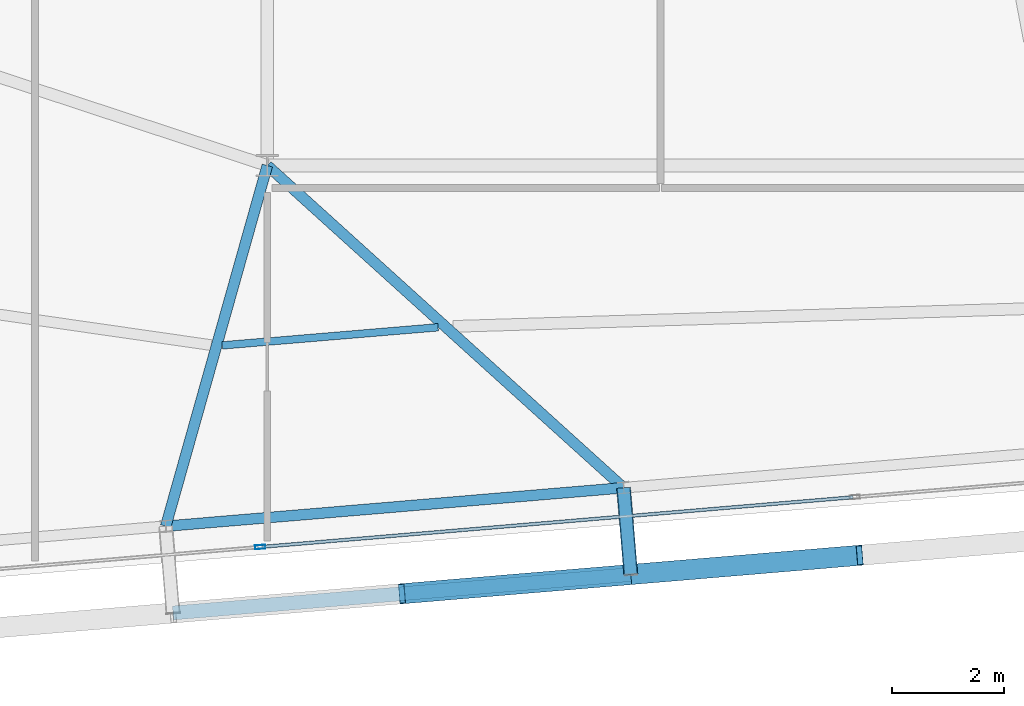
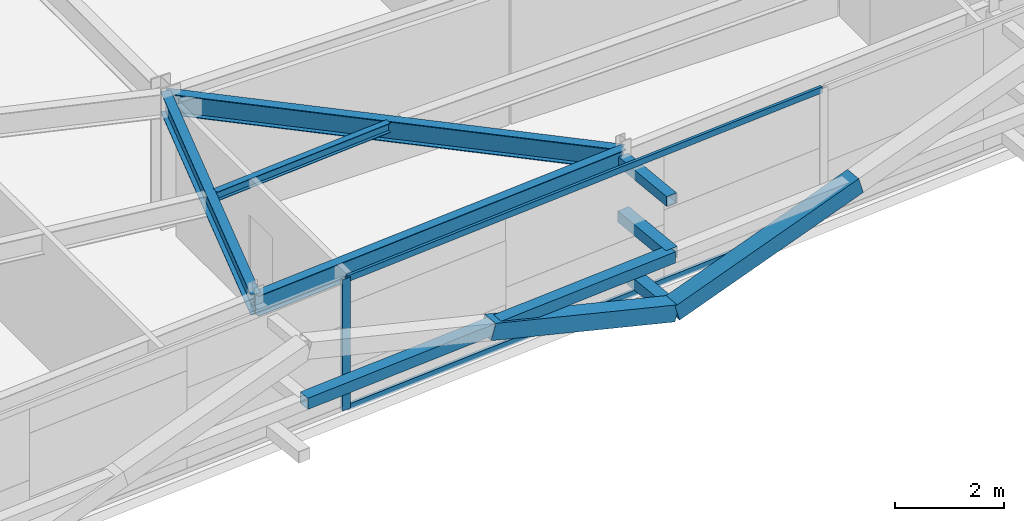
# One storey, part 9 of 39: 9 members, 4 beams, 1 element without a shape of its own.
"""IFC4 building model written with IfcOpenShell, lengths in metres."""

import ifcopenshell
import ifcopenshell.guid

model = None  # the IFC model being written
_history = None  # IfcOwnerHistory: only IFC2X3 demands one
_inside = {}  # id of a spatial element -> (the spatial element, [elements in it])
_under = {}  # id of a project, library or spatial element -> (it, [spatial elements below it])
_declared = {}  # id of a project -> (the project, [libraries it declares])
_typed = {}  # id of a type object -> (the type object, [elements of that type])
_made_of = {}  # id of a material, layer set ... -> (it, [elements and type objects made of it])


def new_model(schema):
    """Start an empty IFC model of exactly this schema.

    Asked for "IFC4X3", IfcOpenShell would pick the latest addendum, in which some entities
    have other attributes; the version numbers below select the first issue.
    IFC2X3 requires an IfcOwnerHistory on every rooted entity: one is made here for all.
    """
    global model, _history
    if schema == "IFC4X3":
        model = ifcopenshell.file(schema_version=(4, 3, 0, 0))
    else:
        model = ifcopenshell.file(schema=schema)
    _inside.clear()
    _under.clear()
    _declared.clear()
    _typed.clear()
    _made_of.clear()
    _history = None
    if model.schema == "IFC2X3":
        org = make("IfcOrganization", Name="unknown")
        user = make(
            "IfcPersonAndOrganization",
            ThePerson=make("IfcPerson", FamilyName="unknown"),
            TheOrganization=org,
        )
        app = make(
            "IfcApplication",
            ApplicationDeveloper=org,
            Version="unknown",
            ApplicationFullName="unknown",
            ApplicationIdentifier="unknown",
        )
        _history = make(
            "IfcOwnerHistory",
            OwningUser=user,
            OwningApplication=app,
            ChangeAction="ADDED",
            CreationDate=0,
        )
    return model


def make(cls, **values):
    """One entity of the class cls with the attributes given. An attribute that is None is left unset."""
    return model.create_entity(
        cls, **{name: value for name, value in values.items() if value is not None}
    )


def rooted(cls, **values):
    """An entity with a GlobalId (a new one), such as an element, a storey or a relation."""
    return make(cls, GlobalId=ifcopenshell.guid.new(), OwnerHistory=_history, **values)


def si_unit(unit_type, name, prefix=None):
    """IfcSIUnit, for example si_unit("LENGTHUNIT", "METRE", prefix="MILLI")."""
    return make("IfcSIUnit", UnitType=unit_type, Prefix=prefix, Name=name)


def assignment(units):
    """IfcUnitAssignment: the units of a project."""
    return None if units is None else make("IfcUnitAssignment", Units=units)


def point(xyz):
    """IfcCartesianPoint."""
    return None if xyz is None else make("IfcCartesianPoint", Coordinates=xyz)


def direction(xyz):
    """IfcDirection."""
    return None if xyz is None else make("IfcDirection", DirectionRatios=xyz)


def frame(location, z_axis=None, x_axis=None):
    """IfcAxis2Placement3D, a coordinate frame: its origin and axes. An axis left out is left unset."""
    return make(
        "IfcAxis2Placement3D",
        Location=point(location),
        Axis=direction(z_axis),
        RefDirection=direction(x_axis),
    )


def frame_2d(location, x_axis=None):
    """IfcAxis2Placement2D, a coordinate frame in the plane: its origin and x axis."""
    return make(
        "IfcAxis2Placement2D", Location=point(location), RefDirection=direction(x_axis)
    )


def origin():
    """The frame at (0, 0, 0) with its axes left unset."""
    return frame((0.0, 0.0, 0.0))


def origin_2d():
    """The frame at (0, 0) in the plane with its x axis left unset."""
    return frame_2d((0.0, 0.0))


def place(relative_to, where):
    """IfcLocalPlacement: puts the frame where relative to a parent placement (None: the world)."""
    return make(
        "IfcLocalPlacement", PlacementRelTo=relative_to, RelativePlacement=where
    )


def context(
    kind, dimensions, precision=None, world=None, true_north=None, identifier=None
):
    """IfcGeometricRepresentationContext, for example the 3D "Model" context."""
    return make(
        "IfcGeometricRepresentationContext",
        ContextIdentifier=identifier,
        ContextType=kind,
        CoordinateSpaceDimension=dimensions,
        Precision=precision,
        WorldCoordinateSystem=world,
        TrueNorth=true_north,
    )


def subcontext(parent, identifier, kind, view, scale=None):
    """IfcGeometricRepresentationSubContext, for example "Body" below "Model"."""
    return make(
        "IfcGeometricRepresentationSubContext",
        ContextIdentifier=identifier,
        ContextType=kind,
        ParentContext=parent,
        TargetScale=scale,
        TargetView=view,
    )


def project(units=None, contexts=None):
    """IfcProject with its units and contexts."""
    return rooted(
        "IfcProject",
        Name="project",
        RepresentationContexts=contexts,
        UnitsInContext=assignment(units),
    )


def spatial(cls, under=None, at=None, **own):
    """A site, building, storey or space (cls), placed at a placement, below another one or the project."""
    s = rooted(cls, ObjectPlacement=at, **own)
    if under is not None:
        _under.setdefault(under.id(), (under, []))[1].append(s)
    return s


def profile(cls, at=None, kind="AREA", **sizes):
    """A parametric profile (cls). Its sizes go by their IFC names, for example OverallWidth=200.0."""
    return make(cls, ProfileType=kind, Position=at, **sizes)


def hollow_rectangle(**sizes):
    """IfcRectangleHollowProfileDef."""
    return profile("IfcRectangleHollowProfileDef", **sizes)


def i_section(**sizes):
    """IfcIShapeProfileDef."""
    return profile("IfcIShapeProfileDef", **sizes)


def extrude(swept, where, along, depth):
    """IfcExtrudedAreaSolid: the profile swept, set in the frame where, extruded along a direction by depth."""
    return make(
        "IfcExtrudedAreaSolid",
        SweptArea=swept,
        Position=where,
        ExtrudedDirection=direction(along),
        Depth=depth,
    )


def shape(context_of_items, identifier, shape_type, items):
    """IfcShapeRepresentation: the items that make up one representation, for example the "Body"."""
    return make(
        "IfcShapeRepresentation",
        ContextOfItems=context_of_items,
        RepresentationIdentifier=identifier,
        RepresentationType=shape_type,
        Items=items,
    )


def source(mapping_origin, context_of_items, identifier, shape_type, items):
    """IfcRepresentationMap: a shape defined once, which mapped items show again and again."""
    return make(
        "IfcRepresentationMap",
        MappingOrigin=mapping_origin,
        MappedRepresentation=shape(context_of_items, identifier, shape_type, items),
    )


def transform(
    local_origin,
    x_axis=None,
    y_axis=None,
    z_axis=None,
    scale=None,
    scale2=None,
    scale3=None,
    uniform=True,
):
    """IfcCartesianTransformationOperator3D, or its non-uniform kind. x_axis, y_axis, z_axis: its Axis1, 2, 3."""
    if uniform:
        return make(
            "IfcCartesianTransformationOperator3D",
            Axis1=direction(x_axis),
            Axis2=direction(y_axis),
            LocalOrigin=point(local_origin),
            Scale=scale,
            Axis3=direction(z_axis),
        )
    return make(
        "IfcCartesianTransformationOperator3DnonUniform",
        Axis1=direction(x_axis),
        Axis2=direction(y_axis),
        LocalOrigin=point(local_origin),
        Scale=scale,
        Axis3=direction(z_axis),
        Scale2=scale2,
        Scale3=scale3,
    )


def mapped(mapping_source, mapping_target):
    """IfcMappedItem: shows the shape of a source again, moved by a transform."""
    return make(
        "IfcMappedItem", MappingSource=mapping_source, MappingTarget=mapping_target
    )


def material(Name=None, Category=None):
    """IfcMaterial."""
    return make("IfcMaterial", Name=Name, Category=Category)


def layer(
    of_material, thickness, ventilated=None, Name=None, Category=None, Priority=None
):
    """IfcMaterialLayer: one layer of a wall or slab, of a material (None: an air gap)."""
    return make(
        "IfcMaterialLayer",
        Material=of_material,
        LayerThickness=thickness,
        IsVentilated=ventilated,
        Name=Name,
        Category=Category,
        Priority=Priority,
    )


def layer_set(layers, Name=None):
    """IfcMaterialLayerSet."""
    return make("IfcMaterialLayerSet", MaterialLayers=layers, LayerSetName=Name)


def material_profile(
    of_material, cross_section, Name=None, Category=None, Priority=None
):
    """IfcMaterialProfile: a cross section and its material."""
    return make(
        "IfcMaterialProfile",
        Name=Name,
        Material=of_material,
        Profile=cross_section,
        Priority=Priority,
        Category=Category,
    )


def profile_set(profiles, Name=None, composite=None):
    """IfcMaterialProfileSet."""
    return make(
        "IfcMaterialProfileSet",
        Name=Name,
        MaterialProfiles=profiles,
        CompositeProfile=composite,
    )


def made_of(thing, what):
    """Note that an element or type object is made of a material, layer set ...; save() writes the relation."""
    if what is not None:
        _made_of.setdefault(what.id(), (what, []))[1].append(thing)
    return thing


def type_object(cls, material=None, **own):
    """A type object (cls), such as IfcWallType, which elements share."""
    return made_of(rooted(cls, **own), material)


def element(
    cls,
    number,
    at=None,
    inside=None,
    cuts=None,
    type_object=None,
    material=None,
    context=None,
    identifier="Body",
    shape_type=None,
    held_by="IfcProductDefinitionShape",
    body=None,
    shapes=None,
    **own,
):
    """One element of the class cls, such as IfcWall. Its Tag is "e" and its number.

    at: its placement. inside: the storey or other place that contains it. cuts: it is an
    opening in that element (IfcRelVoidsElement). A single representation is given by context,
    identifier, shape_type and body (its items); several are given by shapes. held_by: the class
    of the entity that holds the representations. save() writes the other relations.
    """
    e = rooted(cls, Tag="e%d" % number, ObjectPlacement=at, **own)
    if body is not None:
        shapes = [shape(context, identifier, shape_type, body)]
    if shapes is not None:
        e.Representation = make(held_by, Representations=shapes)
    if inside is not None:
        _inside.setdefault(inside.id(), (inside, []))[1].append(e)
    if cuts is not None:
        rooted(
            "IfcRelVoidsElement", RelatingBuildingElement=cuts, RelatedOpeningElement=e
        )
    if type_object is not None:
        _typed.setdefault(type_object.id(), (type_object, []))[1].append(e)
    return made_of(e, material)


def aggregate(whole, parts):
    """IfcRelAggregates: a whole, such as a stair, and the parts it consists of."""
    return rooted("IfcRelAggregates", RelatingObject=whole, RelatedObjects=parts)


def save(model, path):
    """Write the relations noted so far, then the file.

    IfcRelAggregates (storeys below a building ...), IfcRelContainedInSpatialStructure (elements
    in a storey), IfcRelDefinesByType, IfcRelAssociatesMaterial and IfcRelDeclares: one each for
    every whole, place, type object, material and project.
    """
    for whole, parts in _under.values():
        aggregate(whole, parts)
    for where, things in _inside.values():
        rooted(
            "IfcRelContainedInSpatialStructure",
            RelatedElements=things,
            RelatingStructure=where,
        )
    for kind, things in _typed.values():
        rooted("IfcRelDefinesByType", RelatedObjects=things, RelatingType=kind)
    for what, things in _made_of.values():
        rooted("IfcRelAssociatesMaterial", RelatedObjects=things, RelatingMaterial=what)
    for by, libraries in _declared.values():
        rooted("IfcRelDeclares", RelatingContext=by, RelatedDefinitions=libraries)
    model.write(path)


model = new_model("IFC4")

# Units and contexts
model_context = context("Model", 3, precision=1e-05, world=origin(), true_north=direction((0.0, 1.0)))
body_context = subcontext(model_context, "Body", "Model", "MODEL_VIEW")
ifc_project = project(units=[si_unit("LENGTHUNIT", "METRE"), si_unit("AREAUNIT", "SQUARE_METRE"), si_unit("VOLUMEUNIT", "CUBIC_METRE"), si_unit("PLANEANGLEUNIT", "RADIAN"), si_unit("MASSUNIT", "GRAM", prefix="KILO")], contexts=[model_context])

# Site, building, storey
site_placement = place(None, origin())
site = spatial("IfcSite", under=ifc_project, at=site_placement, CompositionType="ELEMENT")
building_placement = place(site_placement, origin())
building = spatial("IfcBuilding", under=site, at=building_placement, Name="Taldren Reach Tower", CompositionType="ELEMENT")
storey_placement = place(building_placement, frame((0.0, 0.0, 197.75)))
storey = spatial("IfcBuildingStorey", under=building, at=storey_placement, Name="L60", CompositionType="ELEMENT", Elevation=197.75)

# Members
ifc_material_1 = material(Name="Steel Gr 350 (C350L0)", Category="steel")
ifc_material_profile_1 = material_profile(ifc_material_1, hollow_rectangle(XDim=0.25, YDim=0.25, WallThickness=0.010009765625, at=origin_2d()), Name="250x250x10.0SHS")
ifc_profile_set_1 = profile_set([ifc_material_profile_1], Name="Steel Gr 350 (C350L0)")
member_type_1 = type_object("IfcMemberType", Name="MB-POST250", PredefinedType="POST", material=ifc_profile_set_1)
shared_shape_1 = source(origin(), body_context, "Body", "SweptSolid", [
    extrude(hollow_rectangle(XDim=0.25, YDim=0.25, WallThickness=0.010009765625, at=origin_2d()), origin(), (0.0, 0.0, 1.0), 1.5498046875),
])
for number, where, z_axis, x_axis, name in (
    (1, (34.34228515625, 3.462890625, 0.219970703125), (0.083645141657, -0.996495604746, 0.0), (0.996495604746, 0.083645141657, 0.0), "Exoskeleton base diaphragm tie strut B4-S3 L60"),
    (2, (34.34228515625, 3.462890625, 1.43505859375), (0.083645141657, -0.996495604746, 0.0), (0.996495604746, 0.083645141657, 0.0), "Exoskeleton mid-tier diaphragm tie B4-S3 L60"),
):
    element("IfcMember", number, at=place(storey_placement, frame(where, z_axis=z_axis, x_axis=x_axis)), inside=storey, type_object=member_type_1, Name=name, PredefinedType="POST", context=body_context, shape_type="MappedRepresentation", body=[
        mapped(shared_shape_1, transform((0.0, 0.0, 0.0), scale=1.0)),
    ])

# Beams
ifc_material_2 = material(Name="Steel Gr 350 (350PLUS)", Category="steel")
ifc_material_profile_2 = material_profile(ifc_material_2, i_section(OverallWidth=0.18994140625, OverallDepth=0.4541015625, WebThickness=0.008544921875, FlangeThickness=0.0126953125, at=origin_2d()), Name="460UB67.1")
ifc_profile_set_2 = profile_set([ifc_material_profile_2], Name="Steel Gr 350 (350PLUS)")
beam_type_1 = type_object("IfcBeamType", Name="SP-UB460B", PredefinedType="SPANDREL", material=ifc_profile_set_2)
shared_shape_2 = source(origin(), body_context, "Body", "SweptSolid", [
    extrude(i_section(OverallWidth=0.18994140625, OverallDepth=0.4541015625, WebThickness=0.008544921875, FlangeThickness=0.0126953125, at=origin_2d()), origin(), (0.0, 0.0, 1.0), 8.179931640625),
])
beam_1_placement = place(storey_placement, frame((26.19091796875, 2.778564453125, 2.702880859375), z_axis=(0.996494523218, 0.083658025296, 0.0), x_axis=(-0.083658025296, 0.996494523218, 0.0)))
element("IfcBeam", 3, at=beam_1_placement, inside=storey, type_object=beam_type_1, Name="Perimeter spandrel B4 S2-S3 L60", PredefinedType="SPANDREL", context=body_context, shape_type="MappedRepresentation", body=[
    mapped(shared_shape_2, transform((0.0, 0.0, 0.0), scale=1.0)),
])
ifc_material_profile_3 = material_profile(ifc_material_2, i_section(OverallWidth=0.19091796875, OverallDepth=0.4599609375, WebThickness=0.010009765625, FlangeThickness=0.01611328125, at=origin_2d()), Name="460UB82.1")
ifc_profile_set_3 = profile_set([ifc_material_profile_3], Name="Steel Gr 350 (350PLUS)")
beam_type_2 = type_object("IfcBeamType", Name="BM-UB460A", PredefinedType="BEAM", material=ifc_profile_set_3)
shared_shape_3 = source(origin(), body_context, "Body", "SweptSolid", [
    extrude(i_section(OverallWidth=0.19091796875, OverallDepth=0.4599609375, WebThickness=0.010009765625, FlangeThickness=0.01611328125, at=origin_2d()), origin(), (0.0, 0.0, 1.0), 6.67138671875),
])
beam_2_placement = place(storey_placement, frame((28.0, 9.199951171875, 2.699951171875), z_axis=(-0.271171579948, -0.962531025073, 0.0), x_axis=(0.962531025073, -0.271171579948, 0.0)))
element("IfcBeam", 4, at=beam_2_placement, inside=storey, type_object=beam_type_2, Name="Primary floor girder B4-S2 L60", PredefinedType="BEAM", context=body_context, shape_type="MappedRepresentation", body=[
    mapped(shared_shape_3, transform((0.0, 0.0, 0.0), scale=1.0)),
])
shared_shape_4 = source(origin(), body_context, "Body", "SweptSolid", [
    extrude(i_section(OverallWidth=0.19091796875, OverallDepth=0.4599609375, WebThickness=0.010009765625, FlangeThickness=0.01611328125, at=origin_2d()), origin(), (0.0, 0.0, 1.0), 8.552001953125),
])
beam_3_placement = place(storey_placement, frame((28.0, 9.199951171875, 2.699951171875), z_axis=(0.741605435155, -0.670836327689, 0.0), x_axis=(0.670836327689, 0.741605435155, 0.0)))
element("IfcBeam", 5, at=beam_3_placement, inside=storey, type_object=beam_type_2, Name="Primary floor girder B4-S3 L60", PredefinedType="BEAM", context=body_context, shape_type="MappedRepresentation", body=[
    mapped(shared_shape_4, transform((0.0, 0.0, 0.0), scale=1.0)),
])
ifc_material_3 = material(Name="Steel Gr 300 (300PLUS, 300 MPa)", Category="steel")
ifc_material_profile_4 = material_profile(ifc_material_3, i_section(OverallWidth=0.134033203125, OverallDepth=0.20703125, WebThickness=0.00634765625, FlangeThickness=0.009521484375, at=origin_2d()), Name="200UB29.8")
ifc_profile_set_4 = profile_set([ifc_material_profile_4], Name="Steel Gr 300 (300PLUS, 300 MPa)")
beam_type_3 = type_object("IfcBeamType", Name="JS-UB200", PredefinedType="JOIST", material=ifc_profile_set_4)
shared_shape_5 = source(origin(), body_context, "Body", "SweptSolid", [
    extrude(i_section(OverallWidth=0.134033203125, OverallDepth=0.20703125, WebThickness=0.00634765625, FlangeThickness=0.009521484375, at=origin_2d()), origin(), (0.0, 0.0, 1.0), 3.857177734375),
])
beam_4_placement = place(storey_placement, frame((27.197021484375, 5.997802734375, 2.826416015625), z_axis=(0.996493179166, 0.083674033464, 0.0), x_axis=(-0.083674033464, 0.996493179166, 0.0)))
element("IfcBeam", 6, at=beam_4_placement, inside=storey, type_object=beam_type_3, Name="Secondary floor joist B4 J2 L60", PredefinedType="JOIST", context=body_context, shape_type="MappedRepresentation", body=[
    mapped(shared_shape_5, transform((0.0, 0.0, 0.0), scale=1.0)),
])

# Members
ifc_material_4 = material(Name="Steel Gr 450 (C450L0)", Category="steel")
ifc_material_profile_5 = material_profile(ifc_material_4, hollow_rectangle(XDim=0.219970703125, YDim=0.219970703125, WallThickness=0.00830078125, at=origin_2d()), Name="220x220x8.2SHS")
ifc_profile_set_5 = profile_set([ifc_material_profile_5], Name="Steel Gr 450 (C450L0)")
member_type_2 = type_object("IfcMemberType", Name="MB-TIE219", PredefinedType="STRUT", material=ifc_profile_set_5)
shared_shape_6 = source(origin(), body_context, "Body", "SweptSolid", [
    extrude(hollow_rectangle(XDim=0.219970703125, YDim=0.219970703125, WallThickness=0.00830078125, at=origin_2d()), origin(), (0.0, 0.0, 1.0), 1.5498046875),
])
member_1_placement = place(storey_placement, frame((34.34228515625, 3.462890625, 2.64990234375), z_axis=(0.083645141657, -0.996495604746, 0.0), x_axis=(0.996495604746, 0.083645141657, 0.0)))
element("IfcMember", 7, at=member_1_placement, inside=storey, type_object=member_type_2, Name="Exoskeleton diaphragm tie strut B4-S3 L60", PredefinedType="STRUT", context=body_context, shape_type="MappedRepresentation", body=[
    mapped(shared_shape_6, transform((0.0, 0.0, 0.0), scale=1.0)),
])
shared_shape_7 = source(origin(), body_context, "Body", "SweptSolid", [
    extrude(hollow_rectangle(XDim=0.25, YDim=0.25, WallThickness=0.010009765625, at=origin_2d()), origin(), (0.0, 0.0, 1.0), 8.18017578125),
])
member_2_placement = place(storey_placement, frame((26.320556640625, 1.23388671875, 1.43505859375), z_axis=(0.996492034688, 0.083687662192, 0.0), x_axis=(-0.083687662192, 0.996492034688, 0.0)))
element("IfcMember", 8, at=member_2_placement, inside=storey, type_object=member_type_1, Name="Exoskeleton mid-height ring chord B4-S2 L60", PredefinedType="POST", context=body_context, shape_type="MappedRepresentation", body=[
    mapped(shared_shape_7, transform((0.0, 0.0, 0.0), scale=1.0)),
])
ifc_material_profile_6 = material_profile(ifc_material_4, hollow_rectangle(XDim=0.360107421875, YDim=0.360107421875, WallThickness=0.0126953125, at=origin_2d()), Name="360x360x12.7SHS")
ifc_profile_set_6 = profile_set([ifc_material_profile_6], Name="Steel Gr 450 (C450L0)")
member_type_3 = type_object("IfcMemberType", Name="MB-EXO356", PredefinedType="BRACE", material=ifc_profile_set_6)
shared_shape_8 = source(origin(), body_context, "Body", "SweptSolid", [
    extrude(hollow_rectangle(XDim=0.360107421875, YDim=0.360107421875, WallThickness=0.0126953125, at=origin_2d()), origin(), (0.0, 0.0, 1.0), 4.2666015625),
])
for number, where, z_axis, x_axis, name in (
    (9, (34.471923828125, 1.91845703125, 0.219970703125), (-0.955229159097, -0.080222312271, 0.284783486572), (0.083687662192, -0.996492034688, 0.0), "Exoskeleton Diagrid Brace B4-S2 L60"),
    (10, (34.471923828125, 1.91845703125, 0.219970703125), (0.955229159097, 0.080222312271, 0.284783486572), (-0.083687662192, 0.996492034688, 0.0), "Exoskeleton Diagrid Brace B4-S3 L60"),
):
    element("IfcMember", number, at=place(storey_placement, frame(where, z_axis=z_axis, x_axis=x_axis)), inside=storey, type_object=member_type_3, Name=name, PredefinedType="BRACE", context=body_context, shape_type="MappedRepresentation", body=[
        mapped(shared_shape_8, transform((0.0, 0.0, 0.0), scale=1.0)),
    ])

# Curtain wall, members
ifc_material_5 = material(Name="Aluminium and Low-E Glass Unitised System", Category="aluminium")
ifc_layer = layer(ifc_material_5, 0.159912109375)
ifc_layer_set = layer_set([ifc_layer], Name="Aluminium and Low-E Glass Unitised System")
curtain_wall_type = type_object("IfcCurtainWallType", Name="CW-SYS-5", PredefinedType="NOTDEFINED", material=ifc_layer_set)
curtain_wall_placement = place(storey_placement, origin())
curtain_wall = element("IfcCurtainWall", 11, at=curtain_wall_placement, inside=storey, type_object=curtain_wall_type, Name="Unitised curtain wall CW-L60-S", PredefinedType="NOTDEFINED")
ifc_material_6 = material(Name="Anodised Aluminium 6063-T6", Category="aluminium")
ifc_material_profile_7 = material_profile(ifc_material_6, hollow_rectangle(XDim=0.070068359375, YDim=0.179931640625, WallThickness=0.00390625, at=origin_2d()), Name="ALU-180x70x4RHS")
ifc_profile_set_7 = profile_set([ifc_material_profile_7], Name="Anodised Aluminium 6063-T6")
member_type_4 = type_object("IfcMemberType", Name="CW-MUL-180", PredefinedType="MULLION", material=ifc_profile_set_7)
shared_shape_9 = source(origin(), body_context, "Body", "SweptSolid", [
    extrude(hollow_rectangle(XDim=0.070068359375, YDim=0.179931640625, WallThickness=0.00390625, at=origin_2d()), origin(), (0.0, 0.0, 1.0), 2.929931640625),
])
member_3_placement = place(storey_placement, frame((27.872802734375, 2.407958984375, 0.0), z_axis=(0.0, 0.0, 1.0), x_axis=(-0.083677894865, 0.996492854922, 0.0)))
member_3 = element("IfcMember", 12, at=member_3_placement, type_object=member_type_4, Name="CW-5 mullion 2", PredefinedType="MULLION", context=body_context, shape_type="MappedRepresentation", body=[
    mapped(shared_shape_9, transform((0.0, 0.0, 0.0), scale=1.0)),
])
ifc_material_profile_8 = material_profile(ifc_material_6, hollow_rectangle(XDim=0.06005859375, YDim=0.135009765625, WallThickness=0.00341796875, at=origin_2d()), Name="ALU-135x60x3.5RHS")
ifc_profile_set_8 = profile_set([ifc_material_profile_8], Name="Anodised Aluminium 6063-T6")
member_type_5 = type_object("IfcMemberType", Name="CW-TRN-150", PredefinedType="USERDEFINED", material=ifc_profile_set_8)
shared_shape_10 = source(origin(), body_context, "Body", "SweptSolid", [
    extrude(hollow_rectangle(XDim=0.06005859375, YDim=0.135009765625, WallThickness=0.00341796875, at=origin_2d()), origin(), (0.0, 0.0, 1.0), 10.55517578125),
])
member_4_placement = place(storey_placement, frame((27.90771484375, 2.410888671875, 0.030029296875), z_axis=(0.996492274094, 0.083684811468, 0.0), x_axis=(-0.083684811468, 0.996492274094, 0.0)))
member_4 = element("IfcMember", 13, at=member_4_placement, type_object=member_type_5, Name="CW-5 transom 2.1", ObjectType="TRANSOM", PredefinedType="USERDEFINED", context=body_context, shape_type="MappedRepresentation", body=[
    mapped(shared_shape_10, transform((0.0, 0.0, 0.0), scale=1.0)),
])
member_5_placement = place(storey_placement, frame((27.90771484375, 2.410888671875, 2.89990234375), z_axis=(0.996492274094, 0.083684811468, 0.0), x_axis=(-0.083684811468, 0.996492274094, 0.0)))
member_5 = element("IfcMember", 14, at=member_5_placement, type_object=member_type_5, Name="CW-5 transom 2.2", ObjectType="TRANSOM", PredefinedType="USERDEFINED", context=body_context, shape_type="MappedRepresentation", body=[
    mapped(shared_shape_10, transform((0.0, 0.0, 0.0), scale=1.0)),
])
aggregate(curtain_wall, [member_3, member_4, member_5])

save(model, "model.ifc")
